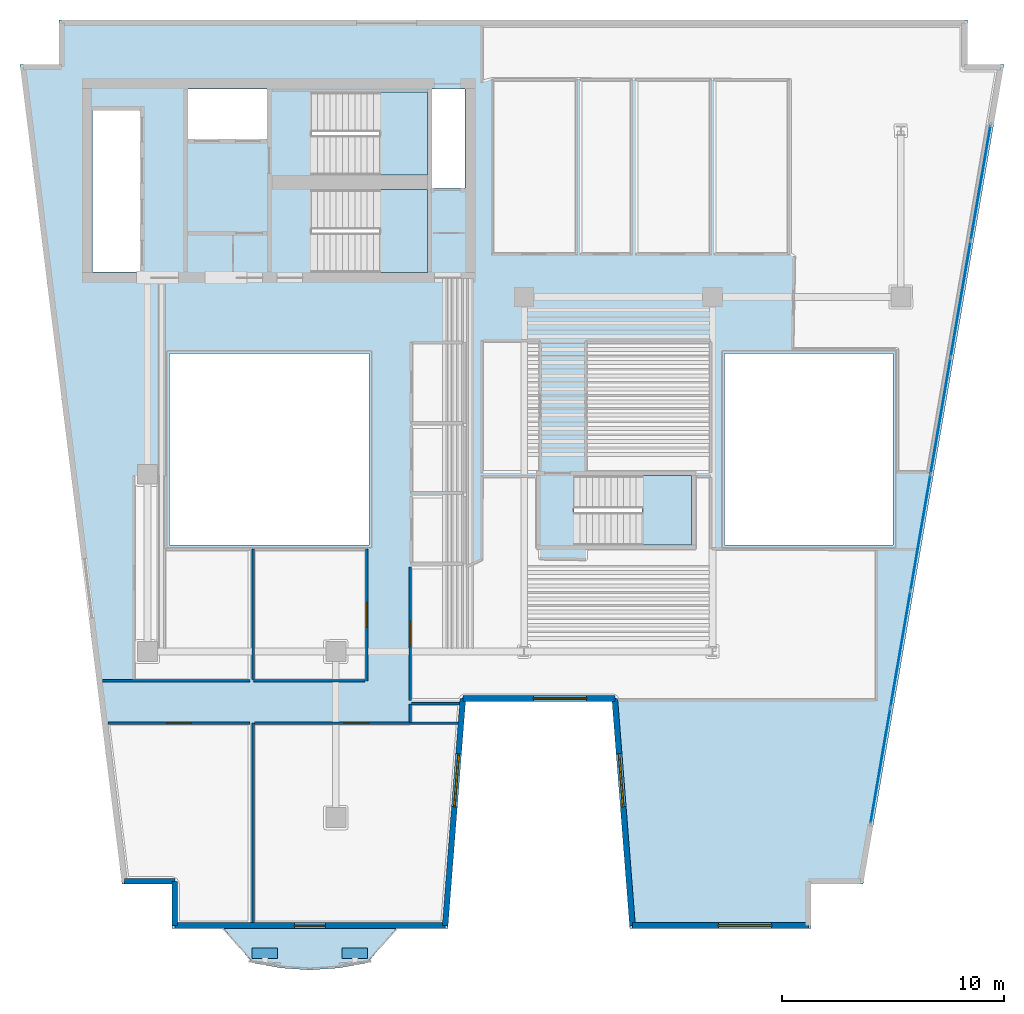
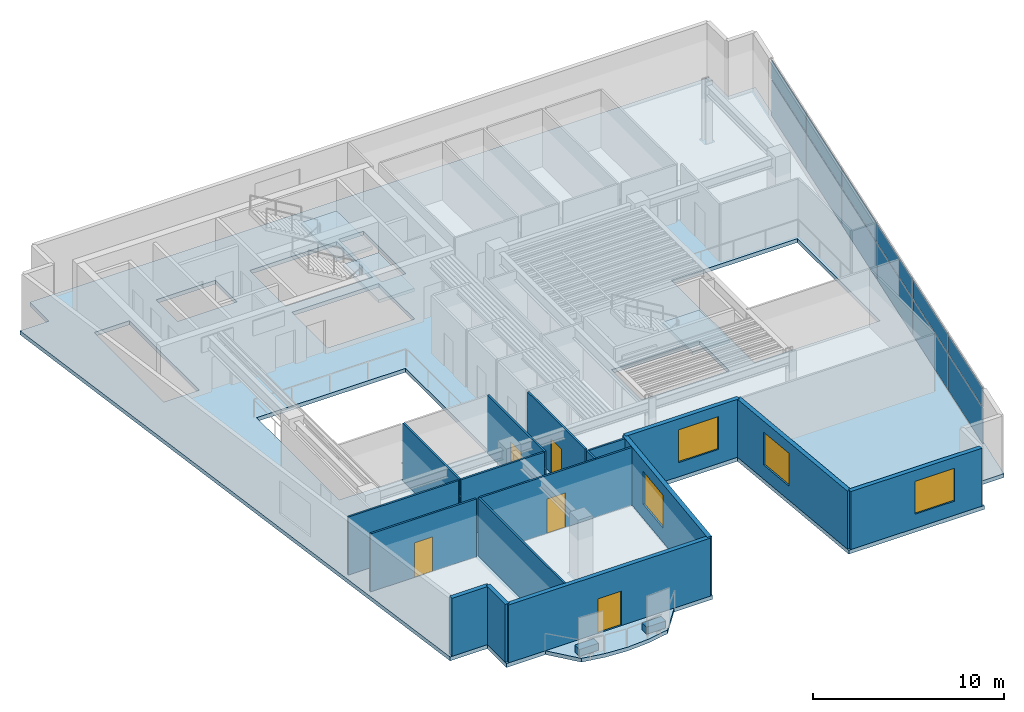
# One storey, part 3 of 9: 17 walls, 14 plates, 5 doors, 5 slabs, 4 windows, 9 openings, 4 elements without a shape of their own.
"""IFC4 building model written with IfcOpenShell, lengths in metres."""

from ifc_helpers import new_model, si_unit, direction, frame, frame_2d, origin, origin_2d, place, context, subcontext, project, spatial, polyline, rectangle, outline, extrude, material, layer, layer_set, type_object, element, fill, aggregate, save


model = new_model("IFC4")

# Units and contexts
model_context = context("Model", 3, precision=1e-05, world=origin(), true_north=direction((0.0, 1.0)))
body_context = subcontext(model_context, "Body", "Model", "MODEL_VIEW")
ifc_project = project(units=[si_unit("LENGTHUNIT", "METRE"), si_unit("AREAUNIT", "SQUARE_METRE"), si_unit("VOLUMEUNIT", "CUBIC_METRE"), si_unit("PLANEANGLEUNIT", "RADIAN"), si_unit("MASSUNIT", "GRAM", prefix="KILO")], contexts=[model_context])

# Site, building, storey
site_placement = place(None, origin())
site = spatial("IfcSite", under=ifc_project, at=site_placement, CompositionType="ELEMENT")
building_placement = place(site_placement, origin())
building = spatial("IfcBuilding", under=site, at=building_placement, Name="Caeloran Harvest Quay", CompositionType="ELEMENT")
storey_placement = place(building_placement, frame((0.0, 0.0, 195.60009765625)))
storey = spatial("IfcBuildingStorey", under=building, at=storey_placement, Name="L46", CompositionType="ELEMENT", Elevation=195.60009765625)

# Slab
ifc_material_1 = material(Name="Concrete C50/60", Category="concrete")
ifc_layer_1 = layer(ifc_material_1, 0.239990234375, Name="Concrete C50/60")
ifc_layer_set_1 = layer_set([ifc_layer_1], Name="Concrete C50/60")
slab_type_1 = type_object("IfcSlabType", Name="BALCONY-BL-240", PredefinedType="FLOOR", material=ifc_layer_set_1)
slab_1_placement = place(storey_placement, frame((0.0, 0.0, -0.239990234375)))
element("IfcSlab", 1, at=slab_1_placement, inside=storey, type_object=slab_type_1, Name="L46 Scalloped Cantilevered Planted Balcony Slab", PredefinedType="FLOOR", context=body_context, shape_type="SweptSolid", body=[
    extrude(outline(polyline([(18.43798828125, 0.955078125), (17.136474609375, 0.717041015625), (15.834716796875, 0.6298828125), (14.533203125, 0.717041015625), (13.2314453125, 0.955078125), (11.9462890625, 2.5), (19.72314453125, 2.5), (18.43798828125, 0.955078125)])), origin(), (0.0, 0.0, 1.0), 0.239990234375),
])

# Curtain wall, plates
ifc_material_2 = material(Name="Aluminium 6063-T6 and Low-E Glazing", Category="aluminium")
ifc_layer_2 = layer(ifc_material_2, 0.2099609375, Name="Aluminium 6063-T6 and Low-E Glazing")
ifc_layer_set_2 = layer_set([ifc_layer_2], Name="Aluminium 6063-T6 and Low-E Glazing")
curtain_wall_type = type_object("IfcCurtainWallType", Name="CW-SYS-CW-4", PredefinedType="USERDEFINED", material=ifc_layer_set_2)
curtain_wall_placement = place(storey_placement, origin())
curtain_wall = element("IfcCurtainWall", 2, at=curtain_wall_placement, inside=storey, type_object=curtain_wall_type, Name="L46 Unitised Curtain Wall CW-4 Run 9", ObjectType="CURTAIN_WALL", PredefinedType="USERDEFINED")
ifc_material_3 = material(Name="Low-E Double Glazed Vision Glass Unit", Category="glass")
ifc_layer_3 = layer(ifc_material_3, 0.035888671875, Name="Low-E Double Glazed Vision Glass Unit")
ifc_layer_set_3 = layer_set([ifc_layer_3], Name="Low-E Double Glazed Vision Glass Unit")
plate_type_1 = type_object("IfcPlateType", Name="CW-VISION-PANEL", PredefinedType="CURTAIN_PANEL", material=ifc_layer_set_3)
plate_1_placement = place(storey_placement, frame((46.105224609375, 36.1533203125, 0.080078125), z_axis=(0.0, 0.0, 1.0), x_axis=(-0.169392351048, -0.985548695604, 0.0)))
plate_1 = element("IfcPlate", 3, at=plate_1_placement, type_object=plate_type_1, Name="CW-4 panel 1.1", PredefinedType="CURTAIN_PANEL", context=body_context, shape_type="SweptSolid", body=[
    extrude(rectangle(XDim=5.2265625, YDim=0.035888671875, at=origin_2d()), origin(), (0.0, 0.0, 1.0), 2.280029296875),
])
plate_2_placement = place(storey_placement, frame((46.105224609375, 36.1533203125, 2.43994140625), z_axis=(0.0, 0.0, 1.0), x_axis=(-0.169392351048, -0.985548695604, 0.0)))
plate_2 = element("IfcPlate", 4, at=plate_2_placement, type_object=plate_type_1, Name="CW-4 panel 1.2", PredefinedType="CURTAIN_PANEL", context=body_context, shape_type="SweptSolid", body=[
    extrude(rectangle(XDim=5.2265625, YDim=0.035888671875, at=origin_2d()), origin(), (0.0, 0.0, 1.0), 1.179931640625),
])
plate_3_placement = place(storey_placement, frame((45.203125, 30.90380859375, 0.080078125), z_axis=(0.0, 0.0, 1.0), x_axis=(-0.169392351048, -0.985548695604, 0.0)))
plate_3 = element("IfcPlate", 5, at=plate_3_placement, type_object=plate_type_1, Name="CW-4 panel 2.1", PredefinedType="CURTAIN_PANEL", context=body_context, shape_type="SweptSolid", body=[
    extrude(rectangle(XDim=5.266357421875, YDim=0.035888671875, at=origin_2d()), origin(), (0.0, 0.0, 1.0), 2.280029296875),
])
plate_4_placement = place(storey_placement, frame((45.203125, 30.90380859375, 2.43994140625), z_axis=(0.0, 0.0, 1.0), x_axis=(-0.169392351048, -0.985548695604, 0.0)))
plate_4 = element("IfcPlate", 6, at=plate_4_placement, type_object=plate_type_1, Name="CW-4 panel 2.2", PredefinedType="CURTAIN_PANEL", context=body_context, shape_type="SweptSolid", body=[
    extrude(rectangle(XDim=5.266357421875, YDim=0.035888671875, at=origin_2d()), origin(), (0.0, 0.0, 1.0), 1.179931640625),
])
plate_5_placement = place(storey_placement, frame((44.29736328125, 25.634521484375, 0.080078125), z_axis=(0.0, 0.0, 1.0), x_axis=(-0.169392351048, -0.985548695604, 0.0)))
plate_5 = element("IfcPlate", 7, at=plate_5_placement, type_object=plate_type_1, Name="CW-4 panel 3.1", PredefinedType="CURTAIN_PANEL", context=body_context, shape_type="SweptSolid", body=[
    extrude(rectangle(XDim=5.266357421875, YDim=0.035888671875, at=origin_2d()), origin(), (0.0, 0.0, 1.0), 2.280029296875),
])
plate_6_placement = place(storey_placement, frame((44.29736328125, 25.634521484375, 2.43994140625), z_axis=(0.0, 0.0, 1.0), x_axis=(-0.169392351048, -0.985548695604, 0.0)))
plate_6 = element("IfcPlate", 8, at=plate_6_placement, type_object=plate_type_1, Name="CW-4 panel 3.2", PredefinedType="CURTAIN_PANEL", context=body_context, shape_type="SweptSolid", body=[
    extrude(rectangle(XDim=5.266357421875, YDim=0.035888671875, at=origin_2d()), origin(), (0.0, 0.0, 1.0), 1.179931640625),
])
plate_7_placement = place(storey_placement, frame((43.391845703125, 20.365478515625, 0.080078125), z_axis=(0.0, 0.0, 1.0), x_axis=(-0.169392351048, -0.985548695604, 0.0)))
plate_7 = element("IfcPlate", 9, at=plate_7_placement, type_object=plate_type_1, Name="CW-4 panel 4.1", PredefinedType="CURTAIN_PANEL", context=body_context, shape_type="SweptSolid", body=[
    extrude(rectangle(XDim=5.266357421875, YDim=0.035888671875, at=origin_2d()), origin(), (0.0, 0.0, 1.0), 2.280029296875),
])
plate_8_placement = place(storey_placement, frame((43.391845703125, 20.365478515625, 2.43994140625), z_axis=(0.0, 0.0, 1.0), x_axis=(-0.169392351048, -0.985548695604, 0.0)))
plate_8 = element("IfcPlate", 10, at=plate_8_placement, type_object=plate_type_1, Name="CW-4 panel 4.2", PredefinedType="CURTAIN_PANEL", context=body_context, shape_type="SweptSolid", body=[
    extrude(rectangle(XDim=5.266357421875, YDim=0.035888671875, at=origin_2d()), origin(), (0.0, 0.0, 1.0), 1.179931640625),
])
plate_9_placement = place(storey_placement, frame((42.486083984375, 15.09619140625, 0.080078125), z_axis=(0.0, 0.0, 1.0), x_axis=(-0.169392351048, -0.985548695604, 0.0)))
plate_9 = element("IfcPlate", 11, at=plate_9_placement, type_object=plate_type_1, Name="CW-4 panel 5.1", PredefinedType="CURTAIN_PANEL", context=body_context, shape_type="SweptSolid", body=[
    extrude(rectangle(XDim=5.266357421875, YDim=0.035888671875, at=origin_2d()), origin(), (0.0, 0.0, 1.0), 2.280029296875),
])
plate_10_placement = place(storey_placement, frame((42.486083984375, 15.09619140625, 2.43994140625), z_axis=(0.0, 0.0, 1.0), x_axis=(-0.169392351048, -0.985548695604, 0.0)))
plate_10 = element("IfcPlate", 12, at=plate_10_placement, type_object=plate_type_1, Name="CW-4 panel 5.2", PredefinedType="CURTAIN_PANEL", context=body_context, shape_type="SweptSolid", body=[
    extrude(rectangle(XDim=5.266357421875, YDim=0.035888671875, at=origin_2d()), origin(), (0.0, 0.0, 1.0), 1.179931640625),
])
plate_11_placement = place(storey_placement, frame((41.583740234375, 9.8466796875, 0.080078125), z_axis=(0.0, 0.0, 1.0), x_axis=(-0.169392351048, -0.985548695604, 0.0)))
plate_11 = element("IfcPlate", 13, at=plate_11_placement, type_object=plate_type_1, Name="CW-4 panel 6.1", PredefinedType="CURTAIN_PANEL", context=body_context, shape_type="SweptSolid", body=[
    extrude(rectangle(XDim=5.2265625, YDim=0.035888671875, at=origin_2d()), origin(), (0.0, 0.0, 1.0), 2.280029296875),
])
plate_12_placement = place(storey_placement, frame((41.583740234375, 9.8466796875, 2.43994140625), z_axis=(0.0, 0.0, 1.0), x_axis=(-0.169392351048, -0.985548695604, 0.0)))
plate_12 = element("IfcPlate", 14, at=plate_12_placement, type_object=plate_type_1, Name="CW-4 panel 6.2", PredefinedType="CURTAIN_PANEL", context=body_context, shape_type="SweptSolid", body=[
    extrude(rectangle(XDim=5.2265625, YDim=0.035888671875, at=origin_2d()), origin(), (0.0, 0.0, 1.0), 1.179931640625),
])
aggregate(curtain_wall, [plate_1, plate_2, plate_3, plate_4, plate_5, plate_6, plate_7, plate_8, plate_9, plate_10, plate_11, plate_12])

# Plates
ifc_material_4 = material(Name="Precast concrete C50/60", Category="concrete")
ifc_layer_4 = layer(ifc_material_4, 0.449951171875, Name="Precast concrete C50/60")
ifc_layer_set_4 = layer_set([ifc_layer_4], Name="Precast concrete C50/60")
plate_type_2 = type_object("IfcPlateType", Name="PLANTER-TROUGH-450", PredefinedType="USERDEFINED", material=ifc_layer_set_4)
for number, where, z_axis, x_axis, name in (
    (15, (17.865478515625, 1.389892578125, 0.0), (0.0, 0.0, 1.0), (1.0, 0.0, 0.0), "L46 Balcony Vertical-Greenery Precast PLANTER Trough 1"),
    (16, (13.80419921875, 1.389892578125, 0.0), (0.0, 0.0, 1.0), (1.0, 0.0, 0.0), "L46 Balcony Vertical-Greenery Precast PLANTER Trough 2"),
):
    element("IfcPlate", number, at=place(storey_placement, frame(where, z_axis=z_axis, x_axis=x_axis)), inside=storey, type_object=plate_type_2, Name=name, ObjectType="PLANTER", PredefinedType="USERDEFINED", context=body_context, shape_type="SweptSolid", body=[
        extrude(rectangle(XDim=1.14990234375, YDim=0.47998046875, at=origin_2d()), origin(), (0.0, 0.0, 1.0), 0.449951171875),
    ])

# Slab
ifc_layer_5 = layer(ifc_material_1, 0.25, Name="Concrete C50/60")
ifc_layer_set_5 = layer_set([ifc_layer_5], Name="Concrete C50/60")
slab_type_2 = type_object("IfcSlabType", Name="SLAB-FS-250", PredefinedType="FLOOR", material=ifc_layer_set_5)
slab_2_placement = place(storey_placement, frame((0.0, 0.0, -0.25)))
element("IfcSlab", 17, at=slab_2_placement, inside=storey, type_object=slab_type_2, Name="L46 Structural Floor Slab", PredefinedType="FLOOR", context=body_context, shape_type="SweptSolid", body=[
    extrude(outline(polyline([(9.60302734375, 2.5), (22.056884765625, 2.5), (22.85693359375, 12.75), (29.469482421875, 12.75), (30.26953125, 2.5), (38.452880859375, 2.5), (38.452880859375, 4.5), (40.796875, 4.5), (47.15625, 41.5), (45.5, 41.5), (45.5, 43.5), (4.5, 43.5), (4.5, 41.5), (2.748779296875, 41.5), (7.35400390625, 4.5), (9.60302734375, 4.5), (9.60302734375, 2.5)]), holes=[polyline([(27.75, 19.800048828125), (27.75, 22.949951171875), (33.050048828125, 22.949951171875), (33.050048828125, 19.800048828125), (27.75, 19.800048828125)]), polyline([(18.5, 19.800048828125), (9.5, 19.800048828125), (9.5, 28.449951171875), (18.5, 28.449951171875), (18.5, 19.800048828125)]), polyline([(42.14990234375, 19.800048828125), (34.550048828125, 19.800048828125), (34.550048828125, 28.449951171875), (42.14990234375, 28.449951171875), (42.14990234375, 19.800048828125)]), polyline([(15.89990234375, 32.10009765625), (15.89990234375, 35.85009765625), (21.14990234375, 35.85009765625), (21.14990234375, 32.10009765625), (15.89990234375, 32.10009765625)]), polyline([(8.159912109375, 32.1201171875), (6.02001953125, 32.1201171875), (6.02001953125, 39.419921875), (8.159912109375, 39.419921875), (8.159912109375, 32.1201171875)]), polyline([(22.830078125, 35.919921875), (21.35009765625, 35.919921875), (21.35009765625, 40.3798828125), (22.830078125, 40.3798828125), (22.830078125, 35.919921875)]), polyline([(15.89990234375, 36.5), (15.89990234375, 40.25), (21.14990234375, 40.25), (21.14990234375, 36.5), (15.89990234375, 36.5)]), polyline([(13.89990234375, 38.1201171875), (10.320068359375, 38.1201171875), (10.320068359375, 40.3798828125), (13.89990234375, 40.3798828125), (13.89990234375, 38.1201171875)])]), origin(), (0.0, 0.0, 1.0), 0.25),
])

# Stair, slab
stair_type_1 = type_object("IfcStairType", Name="STAIR-STC-180", PredefinedType="HALF_TURN_STAIR", material=ifc_material_1)
stair_1_placement = place(storey_placement, origin())
stair_1 = element("IfcStair", 18, at=stair_1_placement, inside=storey, type_object=stair_type_1, Name="L46 Core Pressurized Exit Stair ST-C1", PredefinedType="HALF_TURN_STAIR")
ifc_layer_6 = layer(ifc_material_1, 0.219970703125, Name="Concrete C50/60")
ifc_layer_set_6 = layer_set([ifc_layer_6], Name="Concrete C50/60")
slab_type_3 = type_object("IfcSlabType", Name="STAIR-LANDING-220", PredefinedType="LANDING", material=ifc_layer_set_6)
slab_3_placement = place(storey_placement, frame((0.0, 0.0, 1.77490234375)))
slab_3 = element("IfcSlab", 19, at=slab_3_placement, type_object=slab_type_3, Name="ST-C1 landing 1", PredefinedType="LANDING", context=body_context, shape_type="SweptSolid", body=[
    extrude(outline(polyline([(18.97998046875, 36.5), (21.14990234375, 36.5), (21.14990234375, 40.25), (18.97998046875, 40.25), (18.97998046875, 36.5)])), origin(), (0.0, 0.0, 1.0), 0.199951171875),
])
aggregate(stair_1, [slab_3])

stair_2_placement = place(storey_placement, origin())
stair_2 = element("IfcStair", 20, at=stair_2_placement, inside=storey, type_object=stair_type_1, Name="L46 Core Pressurized Exit Stair ST-C2", PredefinedType="HALF_TURN_STAIR")
slab_4_placement = place(storey_placement, frame((0.0, 0.0, 1.77490234375)))
slab_4 = element("IfcSlab", 21, at=slab_4_placement, type_object=slab_type_3, Name="ST-C2 landing 1", PredefinedType="LANDING", context=body_context, shape_type="SweptSolid", body=[
    extrude(outline(polyline([(18.97998046875, 32.10009765625), (21.14990234375, 32.10009765625), (21.14990234375, 35.85009765625), (18.97998046875, 35.85009765625), (18.97998046875, 32.10009765625)])), origin(), (0.0, 0.0, 1.0), 0.199951171875),
])
aggregate(stair_2, [slab_4])

stair_type_2 = type_object("IfcStairType", Name="STAIR-STW-150", PredefinedType="HALF_TURN_STAIR", material=ifc_material_1)
stair_3_placement = place(storey_placement, origin())
stair_3 = element("IfcStair", 22, at=stair_3_placement, inside=storey, type_object=stair_type_2, Name="L46 East Wing Protected Exit Stair ST-W1", PredefinedType="HALF_TURN_STAIR")
slab_5_placement = place(storey_placement, frame((0.0, 0.0, 1.77490234375)))
slab_5 = element("IfcSlab", 23, at=slab_5_placement, type_object=slab_type_3, Name="ST-W1 landing 1", PredefinedType="LANDING", context=body_context, shape_type="SweptSolid", body=[
    extrude(outline(polyline([(30.830078125, 19.800048828125), (33.050048828125, 19.800048828125), (33.050048828125, 22.949951171875), (30.830078125, 22.949951171875), (30.830078125, 19.800048828125)])), origin(), (0.0, 0.0, 1.0), 0.199951171875),
])
aggregate(stair_3, [slab_5])

# Walls
ifc_layer_7 = layer(ifc_material_4, 0.260009765625, Name="Precast concrete C50/60")
ifc_layer_set_7 = layer_set([ifc_layer_7], Name="Precast concrete C50/60")
wall_type_1 = type_object("IfcWallType", Name="ENV-WALL-EW-260", PredefinedType="STANDARD", material=ifc_layer_set_7)
wall_1_placement = place(storey_placement, frame((9.73291015625, 2.6298828125, 0.0), z_axis=(0.0, 0.0, 1.0), x_axis=(0.0, 1.0, 0.0)))
element("IfcWall", 24, at=wall_1_placement, inside=storey, type_object=wall_type_1, Name="L46 Exterior Precast Concrete Facade Wall 1", PredefinedType="STANDARD", context=body_context, shape_type="SweptSolid", body=[
    extrude(rectangle(XDim=2.0, YDim=0.260009765625, at=frame_2d((1.0, 0.0))), origin(), (0.0, 0.0, 1.0), 3.699951171875),
])
wall_2_placement = place(storey_placement, frame((9.73291015625, 4.6298828125, 0.0), z_axis=(0.0, 0.0, 1.0), x_axis=(-1.0, 0.0, 0.0)))
element("IfcWall", 25, at=wall_2_placement, inside=storey, type_object=wall_type_1, Name="L46 Exterior Precast Concrete Facade Wall 2", PredefinedType="STANDARD", context=body_context, shape_type="SweptSolid", body=[
    extrude(rectangle(XDim=2.263916015625, YDim=0.260009765625, at=frame_2d((1.1318359375, 0.0))), origin(), (0.0, 0.0, 1.0), 3.699951171875),
])

# Wall, opening, window
wall_3_placement = place(storey_placement, frame((38.322998046875, 2.6298828125, 0.0), z_axis=(0.0, 0.0, 1.0), x_axis=(-1.0, 0.0, 0.0)))
wall_3 = element("IfcWall", 26, at=wall_3_placement, inside=storey, type_object=wall_type_1, Name="L46 Exterior Precast Concrete Facade Wall 12", PredefinedType="STANDARD", context=body_context, shape_type="SweptSolid", body=[
    extrude(rectangle(XDim=7.933349609375, YDim=0.260009765625, at=frame_2d((3.966796875, 0.0))), origin(), (0.0, 0.0, 1.0), 3.699951171875),
])
opening_1_placement = place(wall_3_placement, frame((1.656005859375, 0.0, 0.89990234375)))
opening_1 = element("IfcOpeningElement", 27, at=opening_1_placement, cuts=wall_3, Name="Opening W-02", PredefinedType="OPENING", context=body_context, shape_type="SweptSolid", body=[
    extrude(rectangle(XDim=2.39990234375, YDim=2.10009765625, at=frame_2d((1.199951171875, 1.050048828125))), frame((0.0, 0.14013671875, 0.0), z_axis=(0.0, -1.0, 0.0), x_axis=(1.0, 0.0, 0.0)), (0.0, 0.0, 1.0), 0.280029296875),
])
ifc_material_5 = material(Name="Aluminium-Framed Low-E Laminated Glass", Category="aluminium")
window_type = type_object("IfcWindowType", Name="WIN-W-02", PartitioningType="DOUBLE_PANEL_VERTICAL", PredefinedType="WINDOW", material=ifc_material_5)
window_1_placement = place(opening_1_placement, origin())
window_1 = element("IfcWindow", 28, at=window_1_placement, inside=storey, type_object=window_type, Name="L46 Facade Punched Window W-02", OverallHeight=2.10009765625, OverallWidth=2.39990234375, PartitioningType="DOUBLE_PANEL_VERTICAL", PredefinedType="WINDOW", context=body_context, shape_type="SweptSolid", body=[
    extrude(rectangle(XDim=2.39990234375, YDim=2.10009765625, at=frame_2d((1.199951171875, 1.050048828125))), frame((0.0, 0.030029296875, 0.0), z_axis=(0.0, -1.0, 0.0), x_axis=(1.0, 0.0, 0.0)), (0.0, 0.0, 1.0), 0.06005859375),
])
fill(opening_1, window_1)

wall_4_placement = place(storey_placement, frame((30.3896484375, 2.6298828125, 0.0), z_axis=(0.0, 0.0, 1.0), x_axis=(-0.077816860153, 0.996967670627, 0.0)))
wall_4 = element("IfcWall", 29, at=wall_4_placement, inside=storey, type_object=wall_type_1, Name="L46 Exterior Precast Concrete Facade Wall 13", PredefinedType="STANDARD", context=body_context, shape_type="SweptSolid", body=[
    extrude(rectangle(XDim=10.28125, YDim=0.260009765625, at=frame_2d((5.140625, 0.0))), origin(), (0.0, 0.0, 1.0), 3.699951171875),
])
opening_2_placement = place(wall_4_placement, frame((5.3798828125, 0.0, 0.89990234375)))
opening_2 = element("IfcOpeningElement", 30, at=opening_2_placement, cuts=wall_4, Name="Opening W-02", PredefinedType="OPENING", context=body_context, shape_type="SweptSolid", body=[
    extrude(rectangle(XDim=2.39990234375, YDim=2.10009765625, at=frame_2d((1.199951171875, 1.050048828125))), frame((0.0, 0.14013671875, 0.0), z_axis=(0.0, -1.0, 0.0), x_axis=(1.0, 0.0, 0.0)), (0.0, 0.0, 1.0), 0.280029296875),
])
window_2_placement = place(opening_2_placement, origin())
window_2 = element("IfcWindow", 31, at=window_2_placement, inside=storey, type_object=window_type, Name="L46 Facade Punched Window W-02", OverallHeight=2.10009765625, OverallWidth=2.39990234375, PartitioningType="DOUBLE_PANEL_VERTICAL", PredefinedType="WINDOW", context=body_context, shape_type="SweptSolid", body=[
    extrude(rectangle(XDim=2.39990234375, YDim=2.10009765625, at=frame_2d((1.199951171875, 1.050048828125))), frame((0.0, 0.030029296875, 0.0), z_axis=(0.0, -1.0, 0.0), x_axis=(1.0, 0.0, 0.0)), (0.0, 0.0, 1.0), 0.06005859375),
])
fill(opening_2, window_2)

wall_5_placement = place(storey_placement, frame((29.589599609375, 12.8798828125, 0.0), z_axis=(0.0, 0.0, 1.0), x_axis=(-1.0, 0.0, 0.0)))
wall_5 = element("IfcWall", 32, at=wall_5_placement, inside=storey, type_object=wall_type_1, Name="L46 Exterior Precast Concrete Facade Wall 14", PredefinedType="STANDARD", context=body_context, shape_type="SweptSolid", body=[
    extrude(rectangle(XDim=6.852783203125, YDim=0.260009765625, at=frame_2d((3.42626953125, 0.0))), origin(), (0.0, 0.0, 1.0), 3.699951171875),
])
opening_3_placement = place(wall_5_placement, frame((1.26708984375, 0.0, 0.89990234375)))
opening_3 = element("IfcOpeningElement", 33, at=opening_3_placement, cuts=wall_5, Name="Opening W-02", PredefinedType="OPENING", context=body_context, shape_type="SweptSolid", body=[
    extrude(rectangle(XDim=2.39990234375, YDim=2.10009765625, at=frame_2d((1.199951171875, 1.050048828125))), frame((0.0, 0.14013671875, 0.0), z_axis=(0.0, -1.0, 0.0), x_axis=(1.0, 0.0, 0.0)), (0.0, 0.0, 1.0), 0.280029296875),
])
window_3_placement = place(opening_3_placement, origin())
window_3 = element("IfcWindow", 34, at=window_3_placement, inside=storey, type_object=window_type, Name="L46 Facade Punched Window W-02", OverallHeight=2.10009765625, OverallWidth=2.39990234375, PartitioningType="DOUBLE_PANEL_VERTICAL", PredefinedType="WINDOW", context=body_context, shape_type="SweptSolid", body=[
    extrude(rectangle(XDim=2.39990234375, YDim=2.10009765625, at=frame_2d((1.199951171875, 1.050048828125))), frame((0.0, 0.030029296875, 0.0), z_axis=(0.0, -1.0, 0.0), x_axis=(1.0, 0.0, 0.0)), (0.0, 0.0, 1.0), 0.06005859375),
])
fill(opening_3, window_3)

wall_6_placement = place(storey_placement, frame((22.73681640625, 12.8798828125, 0.0), z_axis=(0.0, 0.0, 1.0), x_axis=(-0.077816860153, -0.996967670627, 0.0)))
wall_6 = element("IfcWall", 35, at=wall_6_placement, inside=storey, type_object=wall_type_1, Name="L46 Exterior Precast Concrete Facade Wall 15", PredefinedType="STANDARD", context=body_context, shape_type="SweptSolid", body=[
    extrude(rectangle(XDim=10.28125, YDim=0.260009765625, at=frame_2d((5.140625, 0.0))), origin(), (0.0, 0.0, 1.0), 3.699951171875),
])
opening_4_placement = place(wall_6_placement, frame((2.5009765625, 0.0, 0.89990234375)))
opening_4 = element("IfcOpeningElement", 36, at=opening_4_placement, cuts=wall_6, Name="Opening W-02", PredefinedType="OPENING", context=body_context, shape_type="SweptSolid", body=[
    extrude(rectangle(XDim=2.39990234375, YDim=2.10009765625, at=frame_2d((1.199951171875, 1.050048828125))), frame((0.0, 0.14013671875, 0.0), z_axis=(0.0, -1.0, 0.0), x_axis=(1.0, 0.0, 0.0)), (0.0, 0.0, 1.0), 0.280029296875),
])
window_4_placement = place(opening_4_placement, origin())
window_4 = element("IfcWindow", 37, at=window_4_placement, inside=storey, type_object=window_type, Name="L46 Facade Punched Window W-02", OverallHeight=2.10009765625, OverallWidth=2.39990234375, PartitioningType="DOUBLE_PANEL_VERTICAL", PredefinedType="WINDOW", context=body_context, shape_type="SweptSolid", body=[
    extrude(rectangle(XDim=2.39990234375, YDim=2.10009765625, at=frame_2d((1.199951171875, 1.050048828125))), frame((0.0, 0.030029296875, 0.0), z_axis=(0.0, -1.0, 0.0), x_axis=(1.0, 0.0, 0.0)), (0.0, 0.0, 1.0), 0.06005859375),
])
fill(opening_4, window_4)

# Wall, opening, door
wall_7_placement = place(storey_placement, frame((21.936767578125, 2.6298828125, 0.0), z_axis=(0.0, 0.0, 1.0), x_axis=(-1.0, 0.0, 0.0)))
wall_7 = element("IfcWall", 38, at=wall_7_placement, inside=storey, type_object=wall_type_1, Name="L46 Exterior Precast Concrete Facade Wall 16", PredefinedType="STANDARD", context=body_context, shape_type="SweptSolid", body=[
    extrude(rectangle(XDim=12.203857421875, YDim=0.260009765625, at=frame_2d((6.10205078125, 0.0))), origin(), (0.0, 0.0, 1.0), 3.699951171875),
])
opening_5_placement = place(wall_7_placement, frame((5.402099609375, 0.0, 0.0)))
opening_5 = element("IfcOpeningElement", 39, at=opening_5_placement, cuts=wall_7, Name="Opening BD-02", PredefinedType="OPENING", context=body_context, shape_type="SweptSolid", body=[
    extrude(rectangle(XDim=1.39990234375, YDim=2.199951171875, at=frame_2d((0.699951171875, 1.10009765625))), frame((0.0, 0.14013671875, 0.0), z_axis=(0.0, -1.0, 0.0), x_axis=(1.0, 0.0, 0.0)), (0.0, 0.0, 1.0), 0.280029296875),
])
ifc_material_6 = material(Name="Thermally Broken Powder-Coated Aluminium and Safety Glass", Category="aluminium")
door_type_1 = type_object("IfcDoorType", Name="EXTDOOR-BD-02", OperationType="NOTDEFINED", PredefinedType="DOOR", material=ifc_material_6)
door_1_placement = place(opening_5_placement, origin())
door_1 = element("IfcDoor", 40, at=door_1_placement, inside=storey, type_object=door_type_1, Name="L46 Planted Balcony Glazed Access Door", OperationType="SINGLE_SWING_LEFT", OverallHeight=2.199951171875, OverallWidth=1.39990234375, PredefinedType="DOOR", context=body_context, shape_type="SweptSolid", body=[
    extrude(rectangle(XDim=1.39990234375, YDim=2.199951171875, at=frame_2d((0.699951171875, 1.10009765625))), frame((0.0, 0.02490234375, 0.0), z_axis=(0.0, -1.0, 0.0), x_axis=(1.0, 0.0, 0.0)), (0.0, 0.0, 1.0), 0.050048828125),
])
fill(opening_5, door_1)

# Walls
ifc_material_7 = material(Name="Single-Stud Acoustic Gypsum Office Partition", Category="gypsum")
ifc_layer_8 = layer(ifc_material_7, 0.112060546875, Name="Single-Stud Acoustic Gypsum Office Partition")
ifc_layer_set_8 = layer_set([ifc_layer_8], Name="Single-Stud Acoustic Gypsum Office Partition")
wall_type_2 = type_object("IfcWallType", Name="INT-WALL-PW-112", PredefinedType="PARTITIONING", material=ifc_layer_set_8)
wall_8_placement = place(storey_placement, frame((20.35009765625, 11.800048828125, 0.0), z_axis=(0.0, 0.0, 1.0), x_axis=(0.0, 1.0, 0.0)))
element("IfcWall", 41, at=wall_8_placement, inside=storey, type_object=wall_type_2, Name="Green-Bond Investment Office Partition Wall", PredefinedType="PARTITIONING", context=body_context, shape_type="SweptSolid", body=[
    extrude(rectangle(XDim=0.83984375, YDim=0.112060546875, at=frame_2d((0.419921875, 0.0))), origin(), (0.0, 0.0, 1.0), 3.699951171875),
])
wall_9_placement = place(storey_placement, frame((20.410888671875, 12.639892578125, 0.0), z_axis=(0.0, 0.0, 1.0), x_axis=(1.0, 0.0, 0.0)))
element("IfcWall", 42, at=wall_9_placement, inside=storey, type_object=wall_type_2, Name="Green-Bond Investment Office Partition Wall", PredefinedType="PARTITIONING", context=body_context, shape_type="SweptSolid", body=[
    extrude(rectangle(XDim=2.171875, YDim=0.112060546875, at=frame_2d((1.0859375, 0.0))), origin(), (0.0, 0.0, 1.0), 3.699951171875),
])
wall_10_placement = place(storey_placement, frame((13.280029296875, 2.764892578125, 0.0), z_axis=(0.0, 0.0, 1.0), x_axis=(0.0, 1.0, 0.0)))
element("IfcWall", 43, at=wall_10_placement, inside=storey, type_object=wall_type_2, Name="Green-Bond Investment Office Partition Wall", PredefinedType="PARTITIONING", context=body_context, shape_type="SweptSolid", body=[
    extrude(rectangle(XDim=9.005126953125, YDim=0.112060546875, at=frame_2d((4.50244140625, 0.0))), origin(), (0.0, 0.0, 1.0), 3.699951171875),
])

# Wall, opening, door
wall_11_placement = place(storey_placement, frame((13.341064453125, 11.77001953125, 0.0), z_axis=(0.0, 0.0, 1.0), x_axis=(1.0, 0.0, 0.0)))
wall_11 = element("IfcWall", 44, at=wall_11_placement, inside=storey, type_object=wall_type_2, Name="Green-Bond Investment Office Partition Wall", PredefinedType="PARTITIONING", context=body_context, shape_type="SweptSolid", body=[
    extrude(rectangle(XDim=9.173828125, YDim=0.112060546875, at=frame_2d((4.5869140625, 0.0))), origin(), (0.0, 0.0, 1.0), 3.699951171875),
])
opening_6_placement = place(wall_11_placement, frame((4.036865234375, 0.0, 0.0)))
opening_6 = element("IfcOpeningElement", 45, at=opening_6_placement, cuts=wall_11, Name="Opening ID-04", PredefinedType="OPENING", context=body_context, shape_type="SweptSolid", body=[
    extrude(rectangle(XDim=1.10009765625, YDim=2.199951171875, at=frame_2d((0.550048828125, 1.10009765625))), frame((0.0, 0.06591796875, 0.0), z_axis=(0.0, -1.0, 0.0), x_axis=(1.0, 0.0, 0.0)), (0.0, 0.0, 1.0), 0.132080078125),
])
ifc_material_8 = material(Name="Acoustic Walnut Veneer Executive Door", Category="wood")
door_type_2 = type_object("IfcDoorType", Name="INTDOOR-ID-04", OperationType="NOTDEFINED", PredefinedType="DOOR", material=ifc_material_8)
door_2_placement = place(opening_6_placement, origin())
door_2 = element("IfcDoor", 46, at=door_2_placement, inside=storey, type_object=door_type_2, Name="Green-Bond Investment Office Access Door", OperationType="SINGLE_SWING_RIGHT", OverallHeight=2.199951171875, OverallWidth=1.10009765625, PredefinedType="DOOR", context=body_context, shape_type="SweptSolid", body=[
    extrude(rectangle(XDim=1.10009765625, YDim=2.199951171875, at=frame_2d((0.550048828125, 1.10009765625))), frame((0.0, 0.02490234375, 0.0), z_axis=(0.0, -1.0, 0.0), x_axis=(1.0, 0.0, 0.0)), (0.0, 0.0, 1.0), 0.050048828125),
])
fill(opening_6, door_2)

wall_12_placement = place(storey_placement, frame((6.71630859375, 11.77001953125, 0.0), z_axis=(0.0, 0.0, 1.0), x_axis=(1.0, 0.0, 0.0)))
wall_12 = element("IfcWall", 47, at=wall_12_placement, inside=storey, type_object=wall_type_2, Name="ESG Carbon Desk Workspace Partition Wall", PredefinedType="PARTITIONING", context=body_context, shape_type="SweptSolid", body=[
    extrude(rectangle(XDim=6.40380859375, YDim=0.112060546875, at=frame_2d((3.201904296875, 0.0))), origin(), (0.0, 0.0, 1.0), 3.699951171875),
])
opening_7_placement = place(wall_12_placement, frame((2.65185546875, 0.0, 0.0)))
opening_7 = element("IfcOpeningElement", 48, at=opening_7_placement, cuts=wall_12, Name="Opening ID-04", PredefinedType="OPENING", context=body_context, shape_type="SweptSolid", body=[
    extrude(rectangle(XDim=1.10009765625, YDim=2.199951171875, at=frame_2d((0.550048828125, 1.10009765625))), frame((0.0, 0.06591796875, 0.0), z_axis=(0.0, -1.0, 0.0), x_axis=(1.0, 0.0, 0.0)), (0.0, 0.0, 1.0), 0.132080078125),
])
door_3_placement = place(opening_7_placement, origin())
door_3 = element("IfcDoor", 49, at=door_3_placement, inside=storey, type_object=door_type_2, Name="ESG Carbon Desk Workspace Access Door", OperationType="SINGLE_SWING_LEFT", OverallHeight=2.199951171875, OverallWidth=1.10009765625, PredefinedType="DOOR", context=body_context, shape_type="SweptSolid", body=[
    extrude(rectangle(XDim=1.10009765625, YDim=2.199951171875, at=frame_2d((0.550048828125, 1.10009765625))), frame((0.0, 0.02490234375, 0.0), z_axis=(0.0, -1.0, 0.0), x_axis=(1.0, 0.0, 0.0)), (0.0, 0.0, 1.0), 0.050048828125),
])
fill(opening_7, door_3)

wall_13_placement = place(storey_placement, frame((20.35009765625, 12.800048828125, 0.0), z_axis=(0.0, 0.0, 1.0), x_axis=(0.0, 1.0, 0.0)))
wall_13 = element("IfcWall", 50, at=wall_13_placement, inside=storey, type_object=wall_type_2, Name="Corporate Legal Counsel Office Partition Wall", PredefinedType="PARTITIONING", context=body_context, shape_type="SweptSolid", body=[
    extrude(rectangle(XDim=6.010009765625, YDim=0.112060546875, at=frame_2d((3.0048828125, 0.0))), origin(), (0.0, 0.0, 1.0), 3.699951171875),
])
opening_8_placement = place(wall_13_placement, frame((2.455078125, 0.0, 0.0)))
opening_8 = element("IfcOpeningElement", 51, at=opening_8_placement, cuts=wall_13, Name="Opening ID-04", PredefinedType="OPENING", context=body_context, shape_type="SweptSolid", body=[
    extrude(rectangle(XDim=1.10009765625, YDim=2.199951171875, at=frame_2d((0.550048828125, 1.10009765625))), frame((0.0, 0.06591796875, 0.0), z_axis=(0.0, -1.0, 0.0), x_axis=(1.0, 0.0, 0.0)), (0.0, 0.0, 1.0), 0.132080078125),
])
door_4_placement = place(opening_8_placement, origin())
door_4 = element("IfcDoor", 52, at=door_4_placement, inside=storey, type_object=door_type_2, Name="Corporate Legal Counsel Office Access Door", OperationType="SINGLE_SWING_RIGHT", OverallHeight=2.199951171875, OverallWidth=1.10009765625, PredefinedType="DOOR", context=body_context, shape_type="SweptSolid", body=[
    extrude(rectangle(XDim=1.10009765625, YDim=2.199951171875, at=frame_2d((0.550048828125, 1.10009765625))), frame((0.0, 0.02490234375, 0.0), z_axis=(0.0, -1.0, 0.0), x_axis=(1.0, 0.0, 0.0)), (0.0, 0.0, 1.0), 0.050048828125),
])
fill(opening_8, door_4)

wall_14_placement = place(storey_placement, frame((18.389892578125, 19.6201171875, 0.0), z_axis=(0.0, 0.0, 1.0), x_axis=(0.0, -1.0, 0.0)))
wall_14 = element("IfcWall", 53, at=wall_14_placement, inside=storey, type_object=wall_type_2, Name="Executive Partner Office Partition Wall", PredefinedType="PARTITIONING", context=body_context, shape_type="SweptSolid", body=[
    extrude(rectangle(XDim=5.940185546875, YDim=0.112060546875, at=frame_2d((2.97021484375, 0.0))), origin(), (0.0, 0.0, 1.0), 3.699951171875),
])
opening_9_placement = place(wall_14_placement, frame((2.419921875, 0.0, 0.0)))
opening_9 = element("IfcOpeningElement", 54, at=opening_9_placement, cuts=wall_14, Name="Opening ID-04", PredefinedType="OPENING", context=body_context, shape_type="SweptSolid", body=[
    extrude(rectangle(XDim=1.10009765625, YDim=2.199951171875, at=frame_2d((0.550048828125, 1.10009765625))), frame((0.0, 0.06591796875, 0.0), z_axis=(0.0, -1.0, 0.0), x_axis=(1.0, 0.0, 0.0)), (0.0, 0.0, 1.0), 0.132080078125),
])
door_5_placement = place(opening_9_placement, origin())
door_5 = element("IfcDoor", 55, at=door_5_placement, inside=storey, type_object=door_type_2, Name="Executive Partner Office Access Door", OperationType="SINGLE_SWING_LEFT", OverallHeight=2.199951171875, OverallWidth=1.10009765625, PredefinedType="DOOR", context=body_context, shape_type="SweptSolid", body=[
    extrude(rectangle(XDim=1.10009765625, YDim=2.199951171875, at=frame_2d((0.550048828125, 1.10009765625))), frame((0.0, 0.02490234375, 0.0), z_axis=(0.0, -1.0, 0.0), x_axis=(1.0, 0.0, 0.0)), (0.0, 0.0, 1.0), 0.050048828125),
])
fill(opening_9, door_5)

# Walls
wall_15_placement = place(storey_placement, frame((18.3291015625, 13.679931640625, 0.0), z_axis=(0.0, 0.0, 1.0), x_axis=(-1.0, 0.0, 0.0)))
element("IfcWall", 56, at=wall_15_placement, inside=storey, type_object=wall_type_2, Name="Executive Partner Office Partition Wall", PredefinedType="PARTITIONING", context=body_context, shape_type="SweptSolid", body=[
    extrude(rectangle(XDim=5.049072265625, YDim=0.112060546875, at=frame_2d((2.5244140625, 0.0))), origin(), (0.0, 0.0, 1.0), 3.699951171875),
])
wall_16_placement = place(storey_placement, frame((13.280029296875, 13.740966796875, 0.0), z_axis=(0.0, 0.0, 1.0), x_axis=(0.0, 1.0, 0.0)))
element("IfcWall", 57, at=wall_16_placement, inside=storey, type_object=wall_type_2, Name="Executive Partner Office Partition Wall", PredefinedType="PARTITIONING", context=body_context, shape_type="SweptSolid", body=[
    extrude(rectangle(XDim=5.879150390625, YDim=0.112060546875, at=frame_2d((2.939453125, 0.0))), origin(), (0.0, 0.0, 1.0), 3.699951171875),
])
wall_17_placement = place(storey_placement, frame((13.1201171875, 13.679931640625, 0.0), z_axis=(0.0, 0.0, 1.0), x_axis=(-1.0, 0.0, 0.0)))
element("IfcWall", 58, at=wall_17_placement, inside=storey, type_object=wall_type_2, Name="Client Pitch Conference Room Partition Wall", PredefinedType="PARTITIONING", context=body_context, shape_type="SweptSolid", body=[
    extrude(rectangle(XDim=6.6416015625, YDim=0.112060546875, at=frame_2d((3.32080078125, 0.0))), origin(), (0.0, 0.0, 1.0), 3.699951171875),
])

save(model, "model.ifc")
